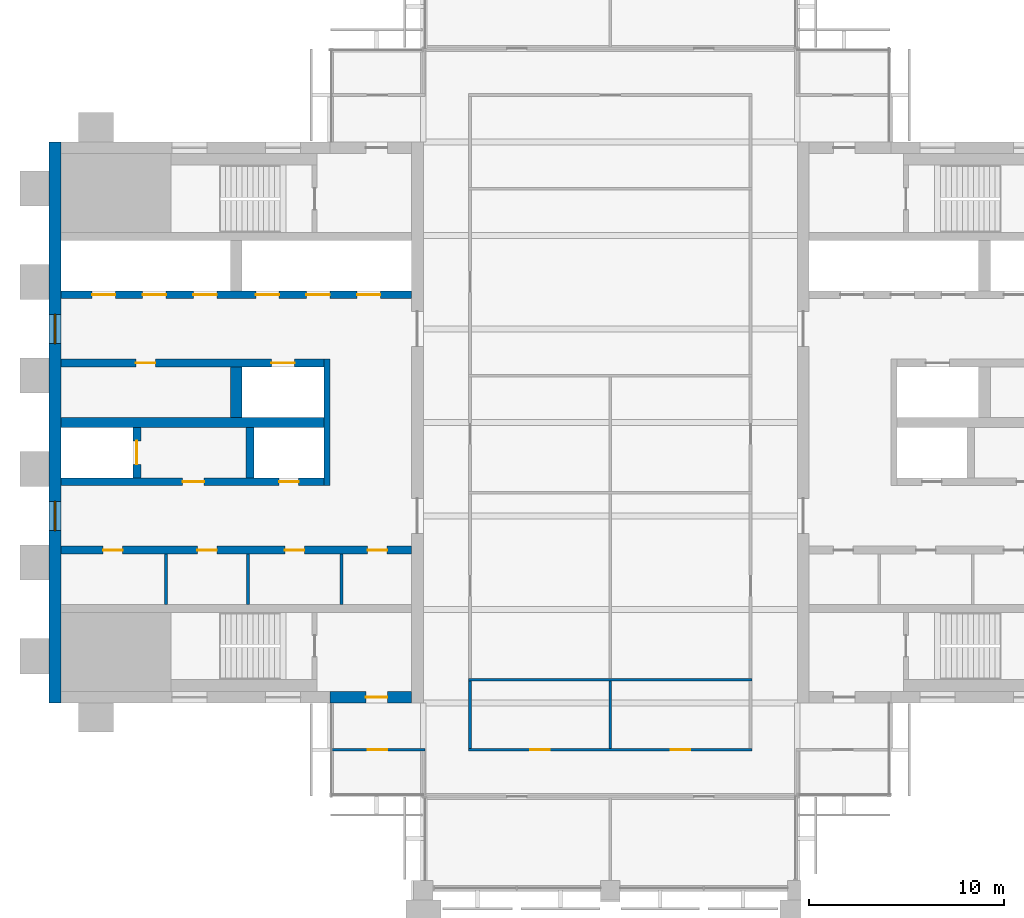
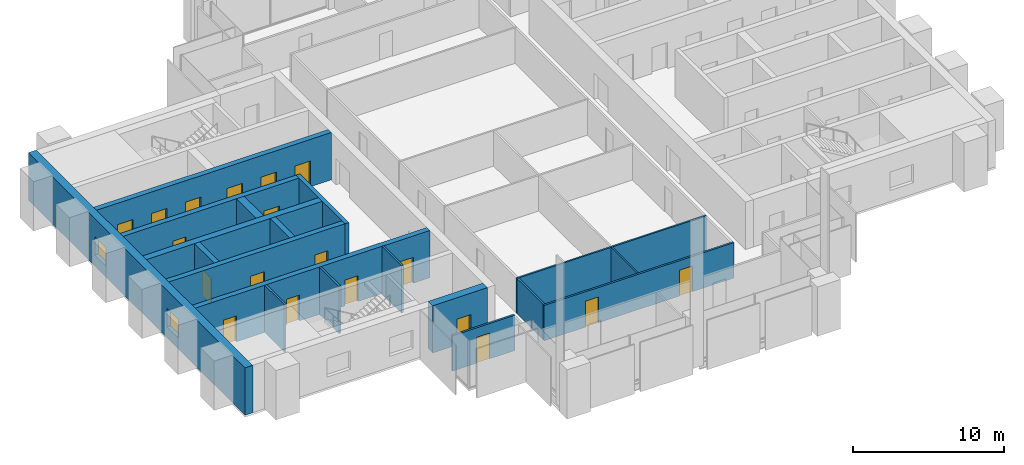
# One storey, part 8 of 12: 19 doors, 19 walls, 2 windows, 21 openings.
"""IFC4 building model written with IfcOpenShell, lengths in metres."""

from ifc_helpers import new_model, si_unit, direction, frame, frame_2d, origin, place, context, subcontext, project, spatial, rectangle, extrude, material, layer, layer_set, type_object, element, fill, save


model = new_model("IFC4")

# Units and contexts
model_context = context("Model", 3, precision=1e-05, world=origin(), true_north=direction((0.0, 1.0)))
body_context = subcontext(model_context, "Body", "Model", "MODEL_VIEW")
ifc_project = project(units=[si_unit("LENGTHUNIT", "METRE"), si_unit("AREAUNIT", "SQUARE_METRE"), si_unit("VOLUMEUNIT", "CUBIC_METRE"), si_unit("PLANEANGLEUNIT", "RADIAN"), si_unit("MASSUNIT", "GRAM", prefix="KILO")], contexts=[model_context])

# Site, building, storey
site_placement = place(None, origin())
site = spatial("IfcSite", under=ifc_project, at=site_placement, CompositionType="ELEMENT")
building_placement = place(site_placement, origin())
building = spatial("IfcBuilding", under=site, at=building_placement, Name="Baori Bourse Tower", CompositionType="ELEMENT")
storey_placement = place(building_placement, frame((0.0, 0.0, 306.300048828125)))
storey = spatial("IfcBuildingStorey", under=building, at=storey_placement, Name="L67", CompositionType="ELEMENT", Elevation=306.300048828125)

# Walls
ifc_material_1 = material(Name="Blockwork partition", Category="masonry")
ifc_layer_1 = layer(ifc_material_1, 0.14990234375)
ifc_layer_set_1 = layer_set([ifc_layer_1], Name="Core partition 150")
wall_type_1 = type_object("IfcWallType", Name="Core partition 150", PredefinedType="PARTITIONING", material=ifc_layer_set_1)
for number, where, z_axis, x_axis, name in (
    (1, (6.0, 14.64990234375, 0.0), (0.0, 0.0, 1.0), (0.0, 1.0, 0.0), "Partition wall W09"),
    (2, (10.199951171875, 14.64990234375, 0.0), (0.0, 0.0, 1.0), (0.0, 1.0, 0.0), "Partition wall W10"),
    (3, (15.0, 14.64990234375, 0.0), (0.0, 0.0, 1.0), (0.0, 1.0, 0.0), "Partition wall W11"),
):
    element("IfcWall", number, at=place(storey_placement, frame(where, z_axis=z_axis, x_axis=x_axis)), inside=storey, type_object=wall_type_1, Name=name, PredefinedType="PARTITIONING", context=body_context, shape_type="SweptSolid", body=[
        extrude(rectangle(XDim=2.60009765625, YDim=0.14990234375, at=frame_2d((1.300048828125, 0.0))), origin(), (0.0, 0.0, 1.0), 3.83984375),
    ])

# Wall, openings, windows
ifc_material_2 = material(Name="Concrete f'c 40 MPa", Category="concrete")
ifc_layer_2 = layer(ifc_material_2, 0.60009765625)
ifc_layer_set_2 = layer_set([ifc_layer_2], Name="Core wall 600 f'c 40")
wall_type_2 = type_object("IfcWallType", Name="Core wall 600 f'c 40", PredefinedType="SHEAR", material=ifc_layer_set_2)
wall_1_placement = place(storey_placement, frame((0.300048828125, 9.60009765625, 0.0), z_axis=(0.0, 0.0, 1.0), x_axis=(0.0, 1.0, 0.0)))
wall_1 = element("IfcWall", 4, at=wall_1_placement, inside=storey, type_object=wall_type_2, Name="Core wall W01", PredefinedType="SHEAR", context=body_context, shape_type="SweptSolid", body=[
    extrude(rectangle(XDim=28.7998046875, YDim=0.60009765625, at=frame_2d((14.39990234375, 0.0))), origin(), (0.0, 0.0, 1.0), 3.83984375),
])
opening_1_placement = place(wall_1_placement, frame((8.85009765625, 0.0, 0.89990234375)))
opening_1 = element("IfcOpeningElement", 5, at=opening_1_placement, cuts=wall_1, Name="Opening L67-KW101", PredefinedType="OPENING", context=body_context, shape_type="SweptSolid", body=[
    extrude(rectangle(XDim=1.5, YDim=1.5, at=frame_2d((0.75, 0.75))), frame((0.0, 0.31005859375, 0.0), z_axis=(0.0, -1.0, 0.0), x_axis=(1.0, 0.0, 0.0)), (0.0, 0.0, 1.0), 0.6201171875),
])
opening_2_placement = place(wall_1_placement, frame((18.449951171875, 0.0, 0.89990234375)))
opening_2 = element("IfcOpeningElement", 6, at=opening_2_placement, cuts=wall_1, Name="Opening L67-KW102", PredefinedType="OPENING", context=body_context, shape_type="SweptSolid", body=[
    extrude(rectangle(XDim=1.5, YDim=1.5, at=frame_2d((0.75, 0.75))), frame((0.0, 0.31005859375, 0.0), z_axis=(0.0, -1.0, 0.0), x_axis=(1.0, 0.0, 0.0)), (0.0, 0.0, 1.0), 0.6201171875),
])
ifc_material_3 = material(Name="Pale anodised aluminium", Category="aluminium")
window_type = type_object("IfcWindowType", Name="Lobby window 1500 x 1500", PartitioningType="SINGLE_PANEL", PredefinedType="WINDOW", material=ifc_material_3)
window_1_placement = place(opening_1_placement, origin())
window_1 = element("IfcWindow", 7, at=window_1_placement, inside=storey, type_object=window_type, Name="Outer wall window W L67 1", OverallHeight=1.5, OverallWidth=1.5, PartitioningType="SINGLE_PANEL", PredefinedType="WINDOW", context=body_context, shape_type="SweptSolid", body=[
    extrude(rectangle(XDim=1.5, YDim=1.5, at=frame_2d((0.75, 0.75))), frame((0.0, 0.030029296875, 0.0), z_axis=(0.0, -1.0, 0.0), x_axis=(1.0, 0.0, 0.0)), (0.0, 0.0, 1.0), 0.06005859375),
])
fill(opening_1, window_1)
window_2_placement = place(opening_2_placement, origin())
window_2 = element("IfcWindow", 8, at=window_2_placement, inside=storey, type_object=window_type, Name="Outer wall window W L67 2", OverallHeight=1.5, OverallWidth=1.5, PartitioningType="SINGLE_PANEL", PredefinedType="WINDOW", context=body_context, shape_type="SweptSolid", body=[
    extrude(rectangle(XDim=1.5, YDim=1.5, at=frame_2d((0.75, 0.75))), frame((0.0, 0.030029296875, 0.0), z_axis=(0.0, -1.0, 0.0), x_axis=(1.0, 0.0, 0.0)), (0.0, 0.0, 1.0), 0.06005859375),
])
fill(opening_2, window_2)

# Wall, opening, door
wall_2_placement = place(storey_placement, frame((18.60009765625, 9.89990234375, 0.0), z_axis=(0.0, 0.0, 1.0), x_axis=(-1.0, 0.0, 0.0)))
wall_2 = element("IfcWall", 9, at=wall_2_placement, inside=storey, type_object=wall_type_2, Name="Core wall W03", PredefinedType="SHEAR", context=body_context, shape_type="SweptSolid", body=[
    extrude(rectangle(XDim=4.2001953125, YDim=0.60009765625, at=frame_2d((2.10009765625, 0.0))), origin(), (0.0, 0.0, 1.0), 3.83984375),
])
opening_3_placement = place(wall_2_placement, frame((1.25, 0.0, 0.0)))
opening_3 = element("IfcOpeningElement", 10, at=opening_3_placement, cuts=wall_2, Name="Opening L67-D102", PredefinedType="OPENING", context=body_context, shape_type="SweptSolid", body=[
    extrude(rectangle(XDim=1.10009765625, YDim=2.10009765625, at=frame_2d((0.550048828125, 1.050048828125))), frame((0.0, 0.31005859375, 0.0), z_axis=(0.0, -1.0, 0.0), x_axis=(1.0, 0.0, 0.0)), (0.0, 0.0, 1.0), 0.6201171875),
])
ifc_material_4 = material(Name="Painted steel door", Category="steel")
door_type_1 = type_object("IfcDoorType", Name="Stair door 1100", OperationType="SINGLE_SWING_LEFT", PredefinedType="DOOR", material=ifc_material_4)
door_1_placement = place(opening_3_placement, origin())
door_1 = element("IfcDoor", 11, at=door_1_placement, inside=storey, type_object=door_type_1, Name="Stair vestibule door A W L67", OperationType="SINGLE_SWING_LEFT", OverallHeight=2.10009765625, OverallWidth=1.10009765625, PredefinedType="DOOR", context=body_context, shape_type="SweptSolid", body=[
    extrude(rectangle(XDim=1.10009765625, YDim=2.10009765625, at=frame_2d((0.550048828125, 1.050048828125))), frame((0.0, 0.02490234375, 0.0), z_axis=(0.0, -1.0, 0.0), x_axis=(1.0, 0.0, 0.0)), (0.0, 0.0, 1.0), 0.050048828125),
])
fill(opening_3, door_1)

ifc_material_5 = material(Name="Gypsum board partition")
ifc_layer_3 = layer(ifc_material_5, 0.14990234375)
ifc_layer_set_3 = layer_set([ifc_layer_3], Name="Corridor partition 150")
wall_type_3 = type_object("IfcWallType", Name="Corridor partition 150", PredefinedType="PARTITIONING", material=ifc_layer_set_3)
wall_3_placement = place(storey_placement, frame((14.5, 7.199951171875, 0.0), z_axis=(0.0, 0.0, 1.0), x_axis=(1.0, 0.0, 0.0)))
wall_3 = element("IfcWall", 12, at=wall_3_placement, inside=storey, type_object=wall_type_3, Name="Partition", PredefinedType="PARTITIONING", context=body_context, shape_type="SweptSolid", body=[
    extrude(rectangle(XDim=4.77490234375, YDim=0.14990234375, at=frame_2d((2.387451171875, 0.0))), origin(), (0.0, 0.0, 1.0), 2.86962890625),
])
opening_4_placement = place(wall_3_placement, frame((1.85009765625, 0.0, 0.0)))
opening_4 = element("IfcOpeningElement", 13, at=opening_4_placement, cuts=wall_3, Name="Opening L67-D03", PredefinedType="OPENING", context=body_context, shape_type="SweptSolid", body=[
    extrude(rectangle(XDim=1.0, YDim=2.10009765625, at=frame_2d((0.5, 1.050048828125))), frame((0.0, 0.0849609375, 0.0), z_axis=(0.0, -1.0, 0.0), x_axis=(1.0, 0.0, 0.0)), (0.0, 0.0, 1.0), 0.169921875),
])
ifc_material_6 = material(Name="Timber door leaf", Category="wood")
door_type_2 = type_object("IfcDoorType", Name="Door 1000 x 2100", OperationType="SINGLE_SWING_LEFT", PredefinedType="DOOR", material=ifc_material_6)
door_2_placement = place(opening_4_placement, origin())
door_2 = element("IfcDoor", 14, at=door_2_placement, inside=storey, type_object=door_type_2, Name="Door", OperationType="SINGLE_SWING_LEFT", OverallHeight=2.10009765625, OverallWidth=1.0, PredefinedType="DOOR", context=body_context, shape_type="SweptSolid", body=[
    extrude(rectangle(XDim=1.0, YDim=2.10009765625, at=frame_2d((0.5, 1.050048828125))), frame((0.0, 0.02490234375, 0.0), z_axis=(0.0, -1.0, 0.0), x_axis=(1.0, 0.0, 0.0)), (0.0, 0.0, 1.0), 0.050048828125),
])
fill(opening_4, door_2)

# Wall, openings, doors
wall_4_placement = place(storey_placement, frame((21.52490234375, 7.199951171875, 0.0), z_axis=(0.0, 0.0, 1.0), x_axis=(1.0, 0.0, 0.0)))
wall_4 = element("IfcWall", 15, at=wall_4_placement, inside=storey, type_object=wall_type_3, Name="Partition", PredefinedType="PARTITIONING", context=body_context, shape_type="SweptSolid", body=[
    extrude(rectangle(XDim=14.550048828125, YDim=0.14990234375, at=frame_2d((7.27490234375, 0.0))), origin(), (0.0, 0.0, 1.0), 2.86962890625),
])
opening_5_placement = place(wall_4_placement, frame((3.175048828125, 0.0, 0.0)))
opening_5 = element("IfcOpeningElement", 16, at=opening_5_placement, cuts=wall_4, Name="Opening L67-D04", PredefinedType="OPENING", context=body_context, shape_type="SweptSolid", body=[
    extrude(rectangle(XDim=1.0, YDim=2.10009765625, at=frame_2d((0.5, 1.050048828125))), frame((0.0, 0.0849609375, 0.0), z_axis=(0.0, -1.0, 0.0), x_axis=(1.0, 0.0, 0.0)), (0.0, 0.0, 1.0), 0.169921875),
])
opening_6_placement = place(wall_4_placement, frame((10.375, 0.0, 0.0)))
opening_6 = element("IfcOpeningElement", 17, at=opening_6_placement, cuts=wall_4, Name="Opening L67-D05", PredefinedType="OPENING", context=body_context, shape_type="SweptSolid", body=[
    extrude(rectangle(XDim=1.0, YDim=2.10009765625, at=frame_2d((0.5, 1.050048828125))), frame((0.0, 0.0849609375, 0.0), z_axis=(0.0, -1.0, 0.0), x_axis=(1.0, 0.0, 0.0)), (0.0, 0.0, 1.0), 0.169921875),
])
door_3_placement = place(opening_5_placement, origin())
door_3 = element("IfcDoor", 18, at=door_3_placement, inside=storey, type_object=door_type_2, Name="Door", OperationType="SINGLE_SWING_RIGHT", OverallHeight=2.10009765625, OverallWidth=1.0, PredefinedType="DOOR", context=body_context, shape_type="SweptSolid", body=[
    extrude(rectangle(XDim=1.0, YDim=2.10009765625, at=frame_2d((0.5, 1.050048828125))), frame((0.0, 0.02490234375, 0.0), z_axis=(0.0, -1.0, 0.0), x_axis=(1.0, 0.0, 0.0)), (0.0, 0.0, 1.0), 0.050048828125),
])
fill(opening_5, door_3)
door_4_placement = place(opening_6_placement, origin())
door_4 = element("IfcDoor", 19, at=door_4_placement, inside=storey, type_object=door_type_2, Name="Door", OperationType="SINGLE_SWING_LEFT", OverallHeight=2.10009765625, OverallWidth=1.0, PredefinedType="DOOR", context=body_context, shape_type="SweptSolid", body=[
    extrude(rectangle(XDim=1.0, YDim=2.10009765625, at=frame_2d((0.5, 1.050048828125))), frame((0.0, 0.02490234375, 0.0), z_axis=(0.0, -1.0, 0.0), x_axis=(1.0, 0.0, 0.0)), (0.0, 0.0, 1.0), 0.050048828125),
])
fill(opening_6, door_4)

# Walls
wall_5_placement = place(storey_placement, frame((21.60009765625, 7.27490234375, 0.0), z_axis=(0.0, 0.0, 1.0), x_axis=(0.0, 1.0, 0.0)))
element("IfcWall", 20, at=wall_5_placement, inside=storey, type_object=wall_type_3, Name="Partition", PredefinedType="PARTITIONING", context=body_context, shape_type="SweptSolid", body=[
    extrude(rectangle(XDim=3.462646484375, YDim=0.14990234375, at=frame_2d((1.7314453125, 0.0))), origin(), (0.0, 0.0, 1.0), 2.86962890625),
])
ifc_material_7 = material(Name="Gypsum board partition")
ifc_layer_4 = layer(ifc_material_7, 0.125)
ifc_layer_set_4 = layer_set([ifc_layer_4], Name="Partition 125")
wall_type_4 = type_object("IfcWallType", Name="Partition 125", PredefinedType="PARTITIONING", material=ifc_layer_set_4)
wall_6_placement = place(storey_placement, frame((21.52490234375, 10.800048828125, 0.0), z_axis=(0.0, 0.0, 1.0), x_axis=(1.0, 0.0, 0.0)))
element("IfcWall", 21, at=wall_6_placement, inside=storey, type_object=wall_type_4, Name="Partition", PredefinedType="PARTITIONING", context=body_context, shape_type="SweptSolid", body=[
    extrude(rectangle(XDim=14.550048828125, YDim=0.125, at=frame_2d((7.27490234375, 0.0))), origin(), (0.0, 0.0, 1.0), 2.86962890625),
])
wall_7_placement = place(storey_placement, frame((28.800048828125, 7.27490234375, 0.0), z_axis=(0.0, 0.0, 1.0), x_axis=(0.0, 1.0, 0.0)))
element("IfcWall", 22, at=wall_7_placement, inside=storey, type_object=wall_type_4, Name="Partition", PredefinedType="PARTITIONING", context=body_context, shape_type="SweptSolid", body=[
    extrude(rectangle(XDim=3.462646484375, YDim=0.125, at=frame_2d((1.7314453125, 0.0))), origin(), (0.0, 0.0, 1.0), 2.86962890625),
])
ifc_material_8 = material(Name="Concrete f'c 40 MPa", Category="concrete")
ifc_layer_5 = layer(ifc_material_8, 0.300048828125)
ifc_layer_set_5 = layer_set([ifc_layer_5], Name="Shaft wall 300 f'c 40")
wall_type_5 = type_object("IfcWallType", Name="Shaft wall 300 f'c 40", PredefinedType="SHEAR", material=ifc_layer_set_5)
wall_8_placement = place(storey_placement, frame((14.25, 20.75, 0.0), z_axis=(0.0, 0.0, 1.0), x_axis=(0.0, 1.0, 0.0)))
element("IfcWall", 23, at=wall_8_placement, inside=storey, type_object=wall_type_5, Name="Core wall W14", PredefinedType="SHEAR", context=body_context, shape_type="SweptSolid", body=[
    extrude(rectangle(XDim=6.5, YDim=0.300048828125, at=frame_2d((3.25, 0.0))), origin(), (0.0, 0.0, 1.0), 3.83984375),
])

# Wall, openings, doors
ifc_material_9 = material(Name="Concrete f'c 40 MPa", Category="concrete")
ifc_layer_6 = layer(ifc_material_9, 0.39990234375)
ifc_layer_set_6 = layer_set([ifc_layer_6], Name="Shaft wall 400 f'c 40")
wall_type_6 = type_object("IfcWallType", Name="Shaft wall 400 f'c 40", PredefinedType="SHEAR", material=ifc_layer_set_6)
wall_9_placement = place(storey_placement, frame((0.60009765625, 17.449951171875, 0.0), z_axis=(0.0, 0.0, 1.0), x_axis=(1.0, 0.0, 0.0)))
wall_9 = element("IfcWall", 24, at=wall_9_placement, inside=storey, type_object=wall_type_6, Name="Core wall W12", PredefinedType="SHEAR", context=body_context, shape_type="SweptSolid", body=[
    extrude(rectangle(XDim=18.0, YDim=0.39990234375, at=frame_2d((9.0, 0.0))), origin(), (0.0, 0.0, 1.0), 3.83984375),
])
opening_7_placement = place(wall_9_placement, frame((2.16259765625, 0.0, 0.0)))
opening_7 = element("IfcOpeningElement", 25, at=opening_7_placement, cuts=wall_9, Name="Opening L67-D109", PredefinedType="OPENING", context=body_context, shape_type="SweptSolid", body=[
    extrude(rectangle(XDim=1.0, YDim=2.10009765625, at=frame_2d((0.5, 1.050048828125))), frame((0.0, 0.2099609375, 0.0), z_axis=(0.0, -1.0, 0.0), x_axis=(1.0, 0.0, 0.0)), (0.0, 0.0, 1.0), 0.419921875),
])
opening_8_placement = place(wall_9_placement, frame((7.0, 0.0, 0.0)))
opening_8 = element("IfcOpeningElement", 26, at=opening_8_placement, cuts=wall_9, Name="Opening L67-D110", PredefinedType="OPENING", context=body_context, shape_type="SweptSolid", body=[
    extrude(rectangle(XDim=1.0, YDim=2.10009765625, at=frame_2d((0.5, 1.050048828125))), frame((0.0, 0.2099609375, 0.0), z_axis=(0.0, -1.0, 0.0), x_axis=(1.0, 0.0, 0.0)), (0.0, 0.0, 1.0), 0.419921875),
])
opening_9_placement = place(wall_9_placement, frame((11.5, 0.0, 0.0)))
opening_9 = element("IfcOpeningElement", 27, at=opening_9_placement, cuts=wall_9, Name="Opening L67-D111", PredefinedType="OPENING", context=body_context, shape_type="SweptSolid", body=[
    extrude(rectangle(XDim=1.0, YDim=2.10009765625, at=frame_2d((0.5, 1.050048828125))), frame((0.0, 0.2099609375, 0.0), z_axis=(0.0, -1.0, 0.0), x_axis=(1.0, 0.0, 0.0)), (0.0, 0.0, 1.0), 0.419921875),
])
opening_10_placement = place(wall_9_placement, frame((15.737548828125, 0.0, 0.0)))
opening_10 = element("IfcOpeningElement", 28, at=opening_10_placement, cuts=wall_9, Name="Opening L67-D112", PredefinedType="OPENING", context=body_context, shape_type="SweptSolid", body=[
    extrude(rectangle(XDim=1.0, YDim=2.10009765625, at=frame_2d((0.5, 1.050048828125))), frame((0.0, 0.2099609375, 0.0), z_axis=(0.0, -1.0, 0.0), x_axis=(1.0, 0.0, 0.0)), (0.0, 0.0, 1.0), 0.419921875),
])
ifc_material_10 = material(Name="Painted steel door", Category="steel")
door_type_3 = type_object("IfcDoorType", Name="Core door 1000", OperationType="SINGLE_SWING_LEFT", PredefinedType="DOOR", material=ifc_material_10)
door_5_placement = place(opening_7_placement, origin())
door_5 = element("IfcDoor", 29, at=door_5_placement, inside=storey, type_object=door_type_3, Name="Men'S Wc door W L67", OperationType="SINGLE_SWING_LEFT", OverallHeight=2.10009765625, OverallWidth=1.0, PredefinedType="DOOR", context=body_context, shape_type="SweptSolid", body=[
    extrude(rectangle(XDim=1.0, YDim=2.10009765625, at=frame_2d((0.5, 1.050048828125))), frame((0.0, 0.02490234375, 0.0), z_axis=(0.0, -1.0, 0.0), x_axis=(1.0, 0.0, 0.0)), (0.0, 0.0, 1.0), 0.050048828125),
])
fill(opening_7, door_5)
door_6_placement = place(opening_8_placement, origin())
door_6 = element("IfcDoor", 30, at=door_6_placement, inside=storey, type_object=door_type_3, Name="Accessible Wc door W L67", OperationType="SINGLE_SWING_LEFT", OverallHeight=2.10009765625, OverallWidth=1.0, PredefinedType="DOOR", context=body_context, shape_type="SweptSolid", body=[
    extrude(rectangle(XDim=1.0, YDim=2.10009765625, at=frame_2d((0.5, 1.050048828125))), frame((0.0, 0.02490234375, 0.0), z_axis=(0.0, -1.0, 0.0), x_axis=(1.0, 0.0, 0.0)), (0.0, 0.0, 1.0), 0.050048828125),
])
fill(opening_8, door_6)
door_7_placement = place(opening_9_placement, origin())
door_7 = element("IfcDoor", 31, at=door_7_placement, inside=storey, type_object=door_type_3, Name="Women'S Wc door W L67", OperationType="SINGLE_SWING_LEFT", OverallHeight=2.10009765625, OverallWidth=1.0, PredefinedType="DOOR", context=body_context, shape_type="SweptSolid", body=[
    extrude(rectangle(XDim=1.0, YDim=2.10009765625, at=frame_2d((0.5, 1.050048828125))), frame((0.0, 0.02490234375, 0.0), z_axis=(0.0, -1.0, 0.0), x_axis=(1.0, 0.0, 0.0)), (0.0, 0.0, 1.0), 0.050048828125),
])
fill(opening_9, door_7)
ifc_material_11 = material(Name="Painted steel door", Category="steel")
door_type_4 = type_object("IfcDoorType", Name="Plant room door 1000", OperationType="SINGLE_SWING_LEFT", PredefinedType="DOOR", material=ifc_material_11)
door_8_placement = place(opening_10_placement, origin())
door_8 = element("IfcDoor", 32, at=door_8_placement, inside=storey, type_object=door_type_4, Name="Communications Room door W L67", OperationType="SINGLE_SWING_LEFT", OverallHeight=2.10009765625, OverallWidth=1.0, PredefinedType="DOOR", context=body_context, shape_type="SweptSolid", body=[
    extrude(rectangle(XDim=1.0, YDim=2.10009765625, at=frame_2d((0.5, 1.050048828125))), frame((0.0, 0.02490234375, 0.0), z_axis=(0.0, -1.0, 0.0), x_axis=(1.0, 0.0, 0.0)), (0.0, 0.0, 1.0), 0.050048828125),
])
fill(opening_10, door_8)

wall_10_placement = place(storey_placement, frame((0.60009765625, 20.949951171875, 0.0), z_axis=(0.0, 0.0, 1.0), x_axis=(1.0, 0.0, 0.0)))
wall_10 = element("IfcWall", 33, at=wall_10_placement, inside=storey, type_object=wall_type_6, Name="Core wall W13", PredefinedType="SHEAR", context=body_context, shape_type="SweptSolid", body=[
    extrude(rectangle(XDim=13.5, YDim=0.39990234375, at=frame_2d((6.75, 0.0))), origin(), (0.0, 0.0, 1.0), 3.83984375),
])
opening_11_placement = place(wall_10_placement, frame((6.25, 0.0, 0.0)))
opening_11 = element("IfcOpeningElement", 34, at=opening_11_placement, cuts=wall_10, Name="Opening L67-D105", PredefinedType="OPENING", context=body_context, shape_type="SweptSolid", body=[
    extrude(rectangle(XDim=1.10009765625, YDim=2.10009765625, at=frame_2d((0.550048828125, 1.050048828125))), frame((0.0, 0.2099609375, 0.0), z_axis=(0.0, -1.0, 0.0), x_axis=(1.0, 0.0, 0.0)), (0.0, 0.0, 1.0), 0.419921875),
])
opening_12_placement = place(wall_10_placement, frame((11.199951171875, 0.0, 0.0)))
opening_12 = element("IfcOpeningElement", 35, at=opening_12_placement, cuts=wall_10, Name="Opening L67-D106", PredefinedType="OPENING", context=body_context, shape_type="SweptSolid", body=[
    extrude(rectangle(XDim=1.0, YDim=2.10009765625, at=frame_2d((0.5, 1.050048828125))), frame((0.0, 0.2099609375, 0.0), z_axis=(0.0, -1.0, 0.0), x_axis=(1.0, 0.0, 0.0)), (0.0, 0.0, 1.0), 0.419921875),
])
ifc_material_12 = material(Name="Painted steel door", Category="steel")
door_type_5 = type_object("IfcDoorType", Name="Lobby door 1100", OperationType="SINGLE_SWING_LEFT", PredefinedType="DOOR", material=ifc_material_12)
door_9_placement = place(opening_11_placement, origin())
door_9 = element("IfcDoor", 36, at=door_9_placement, inside=storey, type_object=door_type_5, Name="Firefighting lobby door W L67", OperationType="SINGLE_SWING_LEFT", OverallHeight=2.10009765625, OverallWidth=1.10009765625, PredefinedType="DOOR", context=body_context, shape_type="SweptSolid", body=[
    extrude(rectangle(XDim=1.10009765625, YDim=2.10009765625, at=frame_2d((0.550048828125, 1.050048828125))), frame((0.0, 0.02490234375, 0.0), z_axis=(0.0, -1.0, 0.0), x_axis=(1.0, 0.0, 0.0)), (0.0, 0.0, 1.0), 0.050048828125),
])
fill(opening_11, door_9)
ifc_material_13 = material(Name="Painted steel door", Category="steel")
door_type_6 = type_object("IfcDoorType", Name="Shaft door 1000", OperationType="SINGLE_SWING_LEFT", PredefinedType="DOOR", material=ifc_material_13)
door_10_placement = place(opening_12_placement, origin())
door_10 = element("IfcDoor", 37, at=door_10_placement, inside=storey, type_object=door_type_6, Name="Riser room door W L67", OperationType="SINGLE_SWING_LEFT", OverallHeight=2.10009765625, OverallWidth=1.0, PredefinedType="DOOR", context=body_context, shape_type="SweptSolid", body=[
    extrude(rectangle(XDim=1.0, YDim=2.10009765625, at=frame_2d((0.5, 1.050048828125))), frame((0.0, 0.02490234375, 0.0), z_axis=(0.0, -1.0, 0.0), x_axis=(1.0, 0.0, 0.0)), (0.0, 0.0, 1.0), 0.050048828125),
])
fill(opening_12, door_10)

# Wall, opening, door
wall_11_placement = place(storey_placement, frame((4.5, 21.14990234375, 0.0), z_axis=(0.0, 0.0, 1.0), x_axis=(0.0, 1.0, 0.0)))
wall_11 = element("IfcWall", 38, at=wall_11_placement, inside=storey, type_object=wall_type_6, Name="Core wall W15", PredefinedType="SHEAR", context=body_context, shape_type="SweptSolid", body=[
    extrude(rectangle(XDim=2.60009765625, YDim=0.39990234375, at=frame_2d((1.300048828125, 0.0))), origin(), (0.0, 0.0, 1.0), 3.83984375),
])
opening_13_placement = place(wall_11_placement, frame((0.699951171875, 0.0, 0.0)))
opening_13 = element("IfcOpeningElement", 39, at=opening_13_placement, cuts=wall_11, Name="Opening L67-D121", PredefinedType="OPENING", context=body_context, shape_type="SweptSolid", body=[
    extrude(rectangle(XDim=1.199951171875, YDim=2.10009765625, at=frame_2d((0.60009765625, 1.050048828125))), frame((0.0, 0.2099609375, 0.0), z_axis=(0.0, -1.0, 0.0), x_axis=(1.0, 0.0, 0.0)), (0.0, 0.0, 1.0), 0.419921875),
])
ifc_material_14 = material(Name="Stainless steel door", Category="steel")
door_type_7 = type_object("IfcDoorType", Name="Lift landing door", OperationType="DOUBLE_DOOR_SLIDING", PredefinedType="DOOR", material=ifc_material_14)
door_11_placement = place(opening_13_placement, origin())
door_11 = element("IfcDoor", 40, at=door_11_placement, inside=storey, type_object=door_type_7, Name="Lift landing door FF1 W L67", OperationType="DOUBLE_DOOR_SLIDING", OverallHeight=2.10009765625, OverallWidth=1.199951171875, PredefinedType="DOOR", context=body_context, shape_type="SweptSolid", body=[
    extrude(rectangle(XDim=1.199951171875, YDim=2.10009765625, at=frame_2d((0.60009765625, 1.050048828125))), frame((0.0, 0.02490234375, 0.0), z_axis=(0.0, -1.0, 0.0), x_axis=(1.0, 0.0, 0.0)), (0.0, 0.0, 1.0), 0.050048828125),
])
fill(opening_13, door_11)

# Wall
wall_12_placement = place(storey_placement, frame((10.300048828125, 21.14990234375, 0.0), z_axis=(0.0, 0.0, 1.0), x_axis=(0.0, 1.0, 0.0)))
element("IfcWall", 41, at=wall_12_placement, inside=storey, type_object=wall_type_6, Name="Core wall W16", PredefinedType="SHEAR", context=body_context, shape_type="SweptSolid", body=[
    extrude(rectangle(XDim=2.60009765625, YDim=0.39990234375, at=frame_2d((1.300048828125, 0.0))), origin(), (0.0, 0.0, 1.0), 3.83984375),
])

# Wall, openings, doors
wall_13_placement = place(storey_placement, frame((0.60009765625, 27.050048828125, 0.0), z_axis=(0.0, 0.0, 1.0), x_axis=(1.0, 0.0, 0.0)))
wall_13 = element("IfcWall", 42, at=wall_13_placement, inside=storey, type_object=wall_type_6, Name="Core wall W19", PredefinedType="SHEAR", context=body_context, shape_type="SweptSolid", body=[
    extrude(rectangle(XDim=13.5, YDim=0.39990234375, at=frame_2d((6.75, 0.0))), origin(), (0.0, 0.0, 1.0), 3.83984375),
])
opening_14_placement = place(wall_13_placement, frame((3.85009765625, 0.0, 0.0)))
opening_14 = element("IfcOpeningElement", 43, at=opening_14_placement, cuts=wall_13, Name="Opening L67-D113", PredefinedType="OPENING", context=body_context, shape_type="SweptSolid", body=[
    extrude(rectangle(XDim=1.0, YDim=2.10009765625, at=frame_2d((0.5, 1.050048828125))), frame((0.0, 0.2099609375, 0.0), z_axis=(0.0, -1.0, 0.0), x_axis=(1.0, 0.0, 0.0)), (0.0, 0.0, 1.0), 0.419921875),
])
opening_15_placement = place(wall_13_placement, frame((10.800048828125, 0.0, 0.0)))
opening_15 = element("IfcOpeningElement", 44, at=opening_15_placement, cuts=wall_13, Name="Opening L67-D120", PredefinedType="OPENING", context=body_context, shape_type="SweptSolid", body=[
    extrude(rectangle(XDim=1.199951171875, YDim=2.10009765625, at=frame_2d((0.60009765625, 1.050048828125))), frame((0.0, 0.2099609375, 0.0), z_axis=(0.0, -1.0, 0.0), x_axis=(1.0, 0.0, 0.0)), (0.0, 0.0, 1.0), 0.419921875),
])
door_12_placement = place(opening_14_placement, origin())
door_12 = element("IfcDoor", 45, at=door_12_placement, inside=storey, type_object=door_type_3, Name="Pantry door W L67", OperationType="SINGLE_SWING_LEFT", OverallHeight=2.10009765625, OverallWidth=1.0, PredefinedType="DOOR", context=body_context, shape_type="SweptSolid", body=[
    extrude(rectangle(XDim=1.0, YDim=2.10009765625, at=frame_2d((0.5, 1.050048828125))), frame((0.0, 0.02490234375, 0.0), z_axis=(0.0, -1.0, 0.0), x_axis=(1.0, 0.0, 0.0)), (0.0, 0.0, 1.0), 0.050048828125),
])
fill(opening_14, door_12)
door_13_placement = place(opening_15_placement, origin())
door_13 = element("IfcDoor", 46, at=door_13_placement, inside=storey, type_object=door_type_7, Name="Lift landing door SV1 W L67", OperationType="DOUBLE_DOOR_SLIDING", OverallHeight=2.10009765625, OverallWidth=1.199951171875, PredefinedType="DOOR", context=body_context, shape_type="SweptSolid", body=[
    extrude(rectangle(XDim=1.199951171875, YDim=2.10009765625, at=frame_2d((0.60009765625, 1.050048828125))), frame((0.0, 0.02490234375, 0.0), z_axis=(0.0, -1.0, 0.0), x_axis=(1.0, 0.0, 0.0)), (0.0, 0.0, 1.0), 0.050048828125),
])
fill(opening_15, door_13)

wall_14_placement = place(storey_placement, frame((0.60009765625, 30.550048828125, 0.0), z_axis=(0.0, 0.0, 1.0), x_axis=(1.0, 0.0, 0.0)))
wall_14 = element("IfcWall", 47, at=wall_14_placement, inside=storey, type_object=wall_type_6, Name="Core wall W20", PredefinedType="SHEAR", context=body_context, shape_type="SweptSolid", body=[
    extrude(rectangle(XDim=18.0, YDim=0.39990234375, at=frame_2d((9.0, 0.0))), origin(), (0.0, 0.0, 1.0), 3.83984375),
])
opening_16_placement = place(wall_14_placement, frame((1.60009765625, 0.0, 0.0)))
opening_16 = element("IfcOpeningElement", 48, at=opening_16_placement, cuts=wall_14, Name="Opening L67-D114", PredefinedType="OPENING", context=body_context, shape_type="SweptSolid", body=[
    extrude(rectangle(XDim=1.199951171875, YDim=2.10009765625, at=frame_2d((0.60009765625, 1.050048828125))), frame((0.0, 0.2099609375, 0.0), z_axis=(0.0, -1.0, 0.0), x_axis=(1.0, 0.0, 0.0)), (0.0, 0.0, 1.0), 0.419921875),
])
opening_17_placement = place(wall_14_placement, frame((4.199951171875, 0.0, 0.0)))
opening_17 = element("IfcOpeningElement", 49, at=opening_17_placement, cuts=wall_14, Name="Opening L67-D115", PredefinedType="OPENING", context=body_context, shape_type="SweptSolid", body=[
    extrude(rectangle(XDim=1.199951171875, YDim=2.10009765625, at=frame_2d((0.60009765625, 1.050048828125))), frame((0.0, 0.2099609375, 0.0), z_axis=(0.0, -1.0, 0.0), x_axis=(1.0, 0.0, 0.0)), (0.0, 0.0, 1.0), 0.419921875),
])
opening_18_placement = place(wall_14_placement, frame((6.800048828125, 0.0, 0.0)))
opening_18 = element("IfcOpeningElement", 50, at=opening_18_placement, cuts=wall_14, Name="Opening L67-D116", PredefinedType="OPENING", context=body_context, shape_type="SweptSolid", body=[
    extrude(rectangle(XDim=1.199951171875, YDim=2.10009765625, at=frame_2d((0.60009765625, 1.050048828125))), frame((0.0, 0.2099609375, 0.0), z_axis=(0.0, -1.0, 0.0), x_axis=(1.0, 0.0, 0.0)), (0.0, 0.0, 1.0), 0.419921875),
])
opening_19_placement = place(wall_14_placement, frame((10.0, 0.0, 0.0)))
opening_19 = element("IfcOpeningElement", 51, at=opening_19_placement, cuts=wall_14, Name="Opening L67-D117", PredefinedType="OPENING", context=body_context, shape_type="SweptSolid", body=[
    extrude(rectangle(XDim=1.199951171875, YDim=2.10009765625, at=frame_2d((0.60009765625, 1.050048828125))), frame((0.0, 0.2099609375, 0.0), z_axis=(0.0, -1.0, 0.0), x_axis=(1.0, 0.0, 0.0)), (0.0, 0.0, 1.0), 0.419921875),
])
opening_20_placement = place(wall_14_placement, frame((12.60009765625, 0.0, 0.0)))
opening_20 = element("IfcOpeningElement", 52, at=opening_20_placement, cuts=wall_14, Name="Opening L67-D118", PredefinedType="OPENING", context=body_context, shape_type="SweptSolid", body=[
    extrude(rectangle(XDim=1.199951171875, YDim=2.10009765625, at=frame_2d((0.60009765625, 1.050048828125))), frame((0.0, 0.2099609375, 0.0), z_axis=(0.0, -1.0, 0.0), x_axis=(1.0, 0.0, 0.0)), (0.0, 0.0, 1.0), 0.419921875),
])
opening_21_placement = place(wall_14_placement, frame((15.199951171875, 0.0, 0.0)))
opening_21 = element("IfcOpeningElement", 53, at=opening_21_placement, cuts=wall_14, Name="Opening L67-D119", PredefinedType="OPENING", context=body_context, shape_type="SweptSolid", body=[
    extrude(rectangle(XDim=1.199951171875, YDim=2.10009765625, at=frame_2d((0.60009765625, 1.050048828125))), frame((0.0, 0.2099609375, 0.0), z_axis=(0.0, -1.0, 0.0), x_axis=(1.0, 0.0, 0.0)), (0.0, 0.0, 1.0), 0.419921875),
])
door_14_placement = place(opening_16_placement, origin())
door_14 = element("IfcDoor", 54, at=door_14_placement, inside=storey, type_object=door_type_7, Name="Lift landing door HR1 W L67", OperationType="DOUBLE_DOOR_SLIDING", OverallHeight=2.10009765625, OverallWidth=1.199951171875, PredefinedType="DOOR", context=body_context, shape_type="SweptSolid", body=[
    extrude(rectangle(XDim=1.199951171875, YDim=2.10009765625, at=frame_2d((0.60009765625, 1.050048828125))), frame((0.0, 0.02490234375, 0.0), z_axis=(0.0, -1.0, 0.0), x_axis=(1.0, 0.0, 0.0)), (0.0, 0.0, 1.0), 0.050048828125),
])
fill(opening_16, door_14)
door_15_placement = place(opening_17_placement, origin())
door_15 = element("IfcDoor", 55, at=door_15_placement, inside=storey, type_object=door_type_7, Name="Lift landing door HR2 W L67", OperationType="DOUBLE_DOOR_SLIDING", OverallHeight=2.10009765625, OverallWidth=1.199951171875, PredefinedType="DOOR", context=body_context, shape_type="SweptSolid", body=[
    extrude(rectangle(XDim=1.199951171875, YDim=2.10009765625, at=frame_2d((0.60009765625, 1.050048828125))), frame((0.0, 0.02490234375, 0.0), z_axis=(0.0, -1.0, 0.0), x_axis=(1.0, 0.0, 0.0)), (0.0, 0.0, 1.0), 0.050048828125),
])
fill(opening_17, door_15)
door_16_placement = place(opening_18_placement, origin())
door_16 = element("IfcDoor", 56, at=door_16_placement, inside=storey, type_object=door_type_7, Name="Lift landing door HR3 W L67", OperationType="DOUBLE_DOOR_SLIDING", OverallHeight=2.10009765625, OverallWidth=1.199951171875, PredefinedType="DOOR", context=body_context, shape_type="SweptSolid", body=[
    extrude(rectangle(XDim=1.199951171875, YDim=2.10009765625, at=frame_2d((0.60009765625, 1.050048828125))), frame((0.0, 0.02490234375, 0.0), z_axis=(0.0, -1.0, 0.0), x_axis=(1.0, 0.0, 0.0)), (0.0, 0.0, 1.0), 0.050048828125),
])
fill(opening_18, door_16)
door_17_placement = place(opening_19_placement, origin())
door_17 = element("IfcDoor", 57, at=door_17_placement, inside=storey, type_object=door_type_7, Name="Lift landing door HR4 W L67", OperationType="DOUBLE_DOOR_SLIDING", OverallHeight=2.10009765625, OverallWidth=1.199951171875, PredefinedType="DOOR", context=body_context, shape_type="SweptSolid", body=[
    extrude(rectangle(XDim=1.199951171875, YDim=2.10009765625, at=frame_2d((0.60009765625, 1.050048828125))), frame((0.0, 0.02490234375, 0.0), z_axis=(0.0, -1.0, 0.0), x_axis=(1.0, 0.0, 0.0)), (0.0, 0.0, 1.0), 0.050048828125),
])
fill(opening_19, door_17)
door_18_placement = place(opening_20_placement, origin())
door_18 = element("IfcDoor", 58, at=door_18_placement, inside=storey, type_object=door_type_7, Name="Lift landing door HR5 W L67", OperationType="DOUBLE_DOOR_SLIDING", OverallHeight=2.10009765625, OverallWidth=1.199951171875, PredefinedType="DOOR", context=body_context, shape_type="SweptSolid", body=[
    extrude(rectangle(XDim=1.199951171875, YDim=2.10009765625, at=frame_2d((0.60009765625, 1.050048828125))), frame((0.0, 0.02490234375, 0.0), z_axis=(0.0, -1.0, 0.0), x_axis=(1.0, 0.0, 0.0)), (0.0, 0.0, 1.0), 0.050048828125),
])
fill(opening_20, door_18)
door_19_placement = place(opening_21_placement, origin())
door_19 = element("IfcDoor", 59, at=door_19_placement, inside=storey, type_object=door_type_7, Name="Lift landing door HR6 W L67", OperationType="DOUBLE_DOOR_SLIDING", OverallHeight=2.10009765625, OverallWidth=1.199951171875, PredefinedType="DOOR", context=body_context, shape_type="SweptSolid", body=[
    extrude(rectangle(XDim=1.199951171875, YDim=2.10009765625, at=frame_2d((0.60009765625, 1.050048828125))), frame((0.0, 0.02490234375, 0.0), z_axis=(0.0, -1.0, 0.0), x_axis=(1.0, 0.0, 0.0)), (0.0, 0.0, 1.0), 0.050048828125),
])
fill(opening_21, door_19)

# Walls
ifc_material_15 = material(Name="Concrete f'c 40 MPa", Category="concrete")
ifc_layer_7 = layer(ifc_material_15, 0.5)
ifc_layer_set_7 = layer_set([ifc_layer_7], Name="Shaft wall 500 f'c 40")
wall_type_7 = type_object("IfcWallType", Name="Shaft wall 500 f'c 40", PredefinedType="SHEAR", material=ifc_layer_set_7)
wall_15_placement = place(storey_placement, frame((0.60009765625, 24.0, 0.0), z_axis=(0.0, 0.0, 1.0), x_axis=(1.0, 0.0, 0.0)))
element("IfcWall", 60, at=wall_15_placement, inside=storey, type_object=wall_type_7, Name="Core wall W17", PredefinedType="SHEAR", context=body_context, shape_type="SweptSolid", body=[
    extrude(rectangle(XDim=13.5, YDim=0.5, at=frame_2d((6.75, 0.0))), origin(), (0.0, 0.0, 1.0), 3.83984375),
])
ifc_material_16 = material(Name="Concrete f'c 40 MPa", Category="concrete")
ifc_layer_8 = layer(ifc_material_16, 0.60009765625)
ifc_layer_set_8 = layer_set([ifc_layer_8], Name="Shaft wall 600 f'c 40")
wall_type_8 = type_object("IfcWallType", Name="Shaft wall 600 f'c 40", PredefinedType="SHEAR", material=ifc_layer_set_8)
wall_16_placement = place(storey_placement, frame((9.60009765625, 24.25, 0.0), z_axis=(0.0, 0.0, 1.0), x_axis=(0.0, 1.0, 0.0)))
element("IfcWall", 61, at=wall_16_placement, inside=storey, type_object=wall_type_8, Name="Core wall W18", PredefinedType="SHEAR", context=body_context, shape_type="SweptSolid", body=[
    extrude(rectangle(XDim=2.60009765625, YDim=0.60009765625, at=frame_2d((1.300048828125, 0.0))), origin(), (0.0, 0.0, 1.0), 3.83984375),
])

save(model, "model.ifc")
